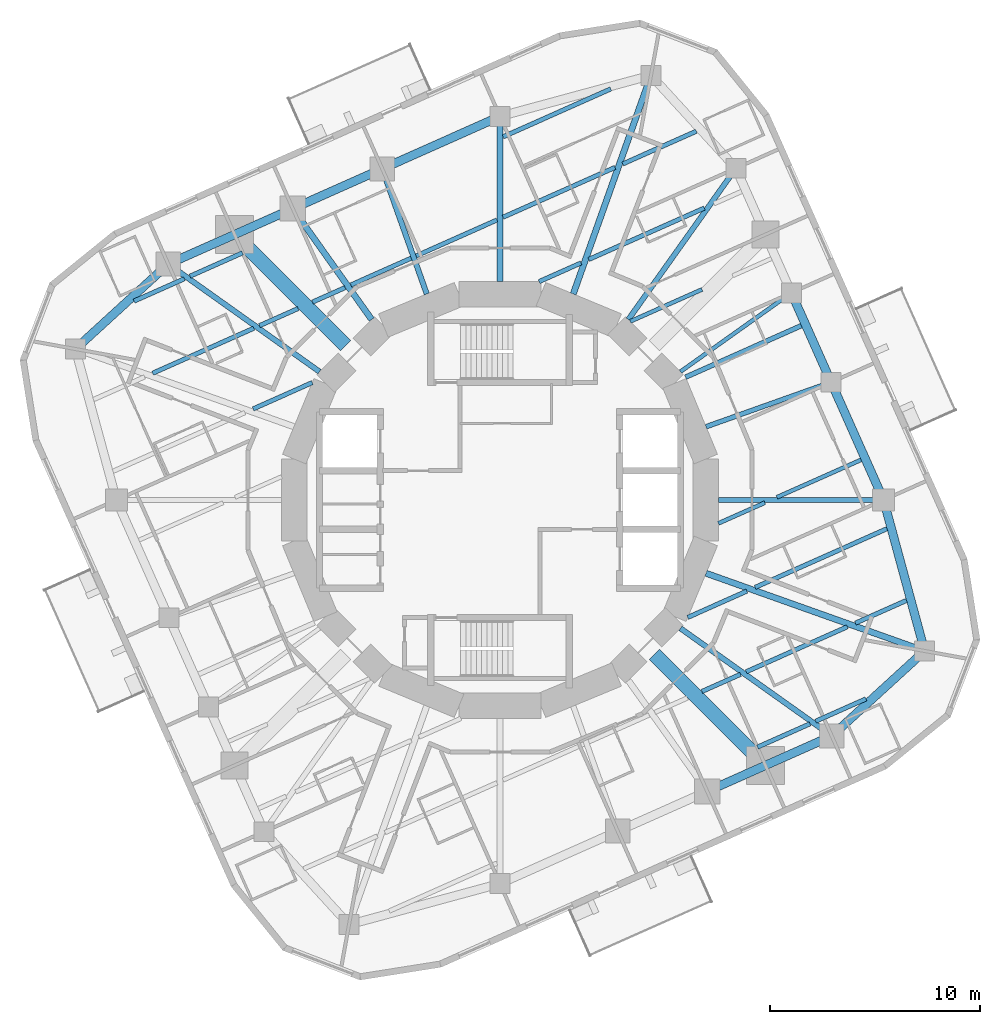
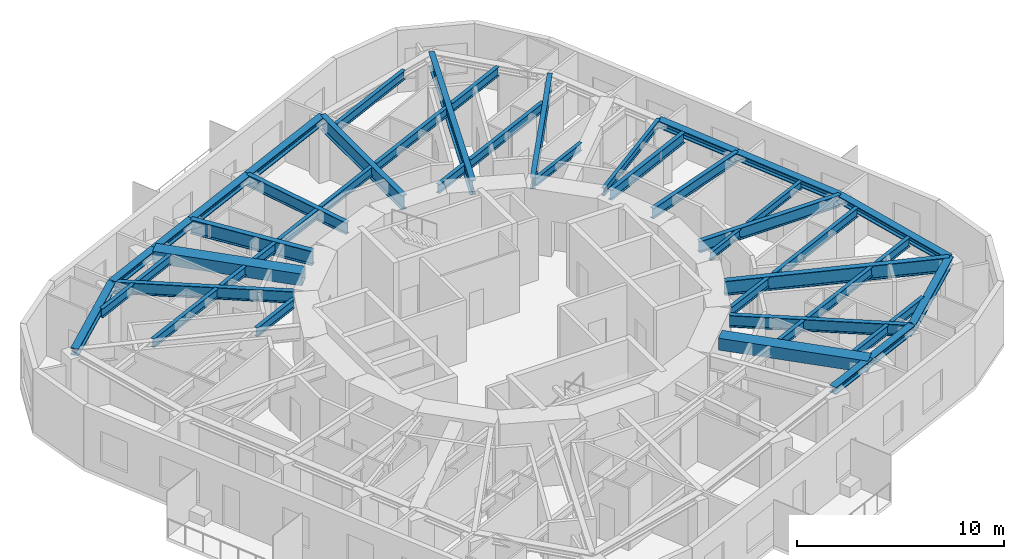
# One storey, part 2 of 12: 35 beams, 13 members.
"""IFC4 building model written with IfcOpenShell, lengths in metres."""

import ifcopenshell
import ifcopenshell.guid

model = None  # the IFC model being written
_history = None  # IfcOwnerHistory: only IFC2X3 demands one
_inside = {}  # id of a spatial element -> (the spatial element, [elements in it])
_under = {}  # id of a project, library or spatial element -> (it, [spatial elements below it])
_declared = {}  # id of a project -> (the project, [libraries it declares])
_typed = {}  # id of a type object -> (the type object, [elements of that type])
_made_of = {}  # id of a material, layer set ... -> (it, [elements and type objects made of it])


def new_model(schema):
    """Start an empty IFC model of exactly this schema.

    Asked for "IFC4X3", IfcOpenShell would pick the latest addendum, in which some entities
    have other attributes; the version numbers below select the first issue.
    IFC2X3 requires an IfcOwnerHistory on every rooted entity: one is made here for all.
    """
    global model, _history
    if schema == "IFC4X3":
        model = ifcopenshell.file(schema_version=(4, 3, 0, 0))
    else:
        model = ifcopenshell.file(schema=schema)
    _inside.clear()
    _under.clear()
    _declared.clear()
    _typed.clear()
    _made_of.clear()
    _history = None
    if model.schema == "IFC2X3":
        org = make("IfcOrganization", Name="unknown")
        user = make(
            "IfcPersonAndOrganization",
            ThePerson=make("IfcPerson", FamilyName="unknown"),
            TheOrganization=org,
        )
        app = make(
            "IfcApplication",
            ApplicationDeveloper=org,
            Version="unknown",
            ApplicationFullName="unknown",
            ApplicationIdentifier="unknown",
        )
        _history = make(
            "IfcOwnerHistory",
            OwningUser=user,
            OwningApplication=app,
            ChangeAction="ADDED",
            CreationDate=0,
        )
    return model


def make(cls, **values):
    """One entity of the class cls with the attributes given. An attribute that is None is left unset."""
    return model.create_entity(
        cls, **{name: value for name, value in values.items() if value is not None}
    )


def rooted(cls, **values):
    """An entity with a GlobalId (a new one), such as an element, a storey or a relation."""
    return make(cls, GlobalId=ifcopenshell.guid.new(), OwnerHistory=_history, **values)


def si_unit(unit_type, name, prefix=None):
    """IfcSIUnit, for example si_unit("LENGTHUNIT", "METRE", prefix="MILLI")."""
    return make("IfcSIUnit", UnitType=unit_type, Prefix=prefix, Name=name)


def assignment(units):
    """IfcUnitAssignment: the units of a project."""
    return None if units is None else make("IfcUnitAssignment", Units=units)


def point(xyz):
    """IfcCartesianPoint."""
    return None if xyz is None else make("IfcCartesianPoint", Coordinates=xyz)


def direction(xyz):
    """IfcDirection."""
    return None if xyz is None else make("IfcDirection", DirectionRatios=xyz)


def frame(location, z_axis=None, x_axis=None):
    """IfcAxis2Placement3D, a coordinate frame: its origin and axes. An axis left out is left unset."""
    return make(
        "IfcAxis2Placement3D",
        Location=point(location),
        Axis=direction(z_axis),
        RefDirection=direction(x_axis),
    )


def frame_2d(location, x_axis=None):
    """IfcAxis2Placement2D, a coordinate frame in the plane: its origin and x axis."""
    return make(
        "IfcAxis2Placement2D", Location=point(location), RefDirection=direction(x_axis)
    )


def origin():
    """The frame at (0, 0, 0) with its axes left unset."""
    return frame((0.0, 0.0, 0.0))


def origin_2d():
    """The frame at (0, 0) in the plane with its x axis left unset."""
    return frame_2d((0.0, 0.0))


def place(relative_to, where):
    """IfcLocalPlacement: puts the frame where relative to a parent placement (None: the world)."""
    return make(
        "IfcLocalPlacement", PlacementRelTo=relative_to, RelativePlacement=where
    )


def context(
    kind, dimensions, precision=None, world=None, true_north=None, identifier=None
):
    """IfcGeometricRepresentationContext, for example the 3D "Model" context."""
    return make(
        "IfcGeometricRepresentationContext",
        ContextIdentifier=identifier,
        ContextType=kind,
        CoordinateSpaceDimension=dimensions,
        Precision=precision,
        WorldCoordinateSystem=world,
        TrueNorth=true_north,
    )


def subcontext(parent, identifier, kind, view, scale=None):
    """IfcGeometricRepresentationSubContext, for example "Body" below "Model"."""
    return make(
        "IfcGeometricRepresentationSubContext",
        ContextIdentifier=identifier,
        ContextType=kind,
        ParentContext=parent,
        TargetScale=scale,
        TargetView=view,
    )


def project(units=None, contexts=None):
    """IfcProject with its units and contexts."""
    return rooted(
        "IfcProject",
        Name="project",
        RepresentationContexts=contexts,
        UnitsInContext=assignment(units),
    )


def spatial(cls, under=None, at=None, **own):
    """A site, building, storey or space (cls), placed at a placement, below another one or the project."""
    s = rooted(cls, ObjectPlacement=at, **own)
    if under is not None:
        _under.setdefault(under.id(), (under, []))[1].append(s)
    return s


def profile(cls, at=None, kind="AREA", **sizes):
    """A parametric profile (cls). Its sizes go by their IFC names, for example OverallWidth=200.0."""
    return make(cls, ProfileType=kind, Position=at, **sizes)


def hollow_rectangle(**sizes):
    """IfcRectangleHollowProfileDef."""
    return profile("IfcRectangleHollowProfileDef", **sizes)


def i_section(**sizes):
    """IfcIShapeProfileDef."""
    return profile("IfcIShapeProfileDef", **sizes)


def extrude(swept, where, along, depth):
    """IfcExtrudedAreaSolid: the profile swept, set in the frame where, extruded along a direction by depth."""
    return make(
        "IfcExtrudedAreaSolid",
        SweptArea=swept,
        Position=where,
        ExtrudedDirection=direction(along),
        Depth=depth,
    )


def shape(context_of_items, identifier, shape_type, items):
    """IfcShapeRepresentation: the items that make up one representation, for example the "Body"."""
    return make(
        "IfcShapeRepresentation",
        ContextOfItems=context_of_items,
        RepresentationIdentifier=identifier,
        RepresentationType=shape_type,
        Items=items,
    )


def material(Name=None, Category=None):
    """IfcMaterial."""
    return make("IfcMaterial", Name=Name, Category=Category)


def material_profile(
    of_material, cross_section, Name=None, Category=None, Priority=None
):
    """IfcMaterialProfile: a cross section and its material."""
    return make(
        "IfcMaterialProfile",
        Name=Name,
        Material=of_material,
        Profile=cross_section,
        Priority=Priority,
        Category=Category,
    )


def profile_set(profiles, Name=None, composite=None):
    """IfcMaterialProfileSet."""
    return make(
        "IfcMaterialProfileSet",
        Name=Name,
        MaterialProfiles=profiles,
        CompositeProfile=composite,
    )


def made_of(thing, what):
    """Note that an element or type object is made of a material, layer set ...; save() writes the relation."""
    if what is not None:
        _made_of.setdefault(what.id(), (what, []))[1].append(thing)
    return thing


def type_object(cls, material=None, **own):
    """A type object (cls), such as IfcWallType, which elements share."""
    return made_of(rooted(cls, **own), material)


def element(
    cls,
    number,
    at=None,
    inside=None,
    cuts=None,
    type_object=None,
    material=None,
    context=None,
    identifier="Body",
    shape_type=None,
    held_by="IfcProductDefinitionShape",
    body=None,
    shapes=None,
    **own,
):
    """One element of the class cls, such as IfcWall. Its Tag is "e" and its number.

    at: its placement. inside: the storey or other place that contains it. cuts: it is an
    opening in that element (IfcRelVoidsElement). A single representation is given by context,
    identifier, shape_type and body (its items); several are given by shapes. held_by: the class
    of the entity that holds the representations. save() writes the other relations.
    """
    e = rooted(cls, Tag="e%d" % number, ObjectPlacement=at, **own)
    if body is not None:
        shapes = [shape(context, identifier, shape_type, body)]
    if shapes is not None:
        e.Representation = make(held_by, Representations=shapes)
    if inside is not None:
        _inside.setdefault(inside.id(), (inside, []))[1].append(e)
    if cuts is not None:
        rooted(
            "IfcRelVoidsElement", RelatingBuildingElement=cuts, RelatedOpeningElement=e
        )
    if type_object is not None:
        _typed.setdefault(type_object.id(), (type_object, []))[1].append(e)
    return made_of(e, material)


def aggregate(whole, parts):
    """IfcRelAggregates: a whole, such as a stair, and the parts it consists of."""
    return rooted("IfcRelAggregates", RelatingObject=whole, RelatedObjects=parts)


def save(model, path):
    """Write the relations noted so far, then the file.

    IfcRelAggregates (storeys below a building ...), IfcRelContainedInSpatialStructure (elements
    in a storey), IfcRelDefinesByType, IfcRelAssociatesMaterial and IfcRelDeclares: one each for
    every whole, place, type object, material and project.
    """
    for whole, parts in _under.values():
        aggregate(whole, parts)
    for where, things in _inside.values():
        rooted(
            "IfcRelContainedInSpatialStructure",
            RelatedElements=things,
            RelatingStructure=where,
        )
    for kind, things in _typed.values():
        rooted("IfcRelDefinesByType", RelatedObjects=things, RelatingType=kind)
    for what, things in _made_of.values():
        rooted("IfcRelAssociatesMaterial", RelatedObjects=things, RelatingMaterial=what)
    for by, libraries in _declared.values():
        rooted("IfcRelDeclares", RelatingContext=by, RelatedDefinitions=libraries)
    model.write(path)


model = new_model("IFC4")

# Units and contexts
model_context = context("Model", 3, precision=1e-05, world=origin(), true_north=direction((0.0, 1.0)))
body_context = subcontext(model_context, "Body", "Model", "MODEL_VIEW")
ifc_project = project(units=[si_unit("LENGTHUNIT", "METRE"), si_unit("AREAUNIT", "SQUARE_METRE"), si_unit("VOLUMEUNIT", "CUBIC_METRE"), si_unit("PLANEANGLEUNIT", "RADIAN"), si_unit("MASSUNIT", "GRAM", prefix="KILO")], contexts=[model_context])

# Site, building, storey
site_placement = place(None, origin())
site = spatial("IfcSite", under=ifc_project, at=site_placement, CompositionType="ELEMENT")
building_placement = place(site_placement, origin())
building = spatial("IfcBuilding", under=site, at=building_placement, Name="Nakasero Lantern House", CompositionType="ELEMENT")
storey_placement = place(building_placement, frame((0.0, 0.0, 213.25)))
storey = spatial("IfcBuildingStorey", under=building, at=storey_placement, Name="L52", CompositionType="ELEMENT", Elevation=213.25)

# Members
ifc_material_1 = material(Name="Steel S355", Category="steel")
ifc_material_profile_1 = material_profile(ifc_material_1, i_section(OverallWidth=0.406982421875, OverallDepth=0.4189453125, WebThickness=0.030517578125, FlangeThickness=0.04931640625, FilletRadius=0.01513671875, at=origin_2d()), Name="UC 356x406x393")
ifc_profile_set_1 = profile_set([ifc_material_profile_1], Name="Steel S355")
member_type_1 = type_object("IfcMemberType", Name="Belt truss chord UC 356x406x393", PredefinedType="CHORD", material=ifc_profile_set_1)
member_1_placement = place(storey_placement, frame((15.808837890625, -11.241943359375, 3.4404296875), z_axis=(0.73802707447, 0.674771099966, 0.0), x_axis=(-0.674771099966, 0.73802707447, 0.0)))
element("IfcMember", 1, at=member_1_placement, inside=storey, type_object=member_type_1, Name="Belt truss bottom chord T5 B5-C01", PredefinedType="CHORD", context=body_context, shape_type="SweptSolid", body=[
    extrude(i_section(OverallWidth=0.406982421875, OverallDepth=0.4189453125, WebThickness=0.030517578125, FlangeThickness=0.04931640625, FilletRadius=0.01513671875, at=origin_2d()), origin(), (0.0, 0.0, 1.0), 5.997802734375),
])
member_2_placement = place(storey_placement, frame((20.2353515625, -7.19482421875, 3.4404296875), z_axis=(-0.26219461312, 0.965015017941, 0.0), x_axis=(-0.965015017941, -0.26219461312, 0.0)))
element("IfcMember", 2, at=member_2_placement, inside=storey, type_object=member_type_1, Name="Belt truss bottom chord T5 B5-C02", PredefinedType="CHORD", context=body_context, shape_type="SweptSolid", body=[
    extrude(i_section(OverallWidth=0.406982421875, OverallDepth=0.4189453125, WebThickness=0.030517578125, FlangeThickness=0.04931640625, FilletRadius=0.01513671875, at=origin_2d()), origin(), (0.0, 0.0, 1.0), 7.45556640625),
])
member_3_placement = place(storey_placement, frame((18.280517578125, 0.0, 3.4404296875), z_axis=(-0.406765299215, 0.913532698569, 0.0), x_axis=(-0.913532698569, -0.406765299215, 0.0)))
element("IfcMember", 3, at=member_3_placement, inside=storey, type_object=member_type_1, Name="Belt truss bottom chord T5 B5-C03", PredefinedType="CHORD", context=body_context, shape_type="SweptSolid", body=[
    extrude(i_section(OverallWidth=0.406982421875, OverallDepth=0.4189453125, WebThickness=0.030517578125, FlangeThickness=0.04931640625, FilletRadius=0.01513671875, at=origin_2d()), origin(), (0.0, 0.0, 1.0), 6.142333984375),
])
member_4_placement = place(storey_placement, frame((15.781982421875, 5.611328125, 3.4404296875), z_axis=(-0.406701600856, 0.913561058639, 0.0), x_axis=(-0.913561058639, -0.406701600856, 0.0)))
element("IfcMember", 4, at=member_4_placement, inside=storey, type_object=member_type_1, Name="Belt truss bottom chord T5 B5-C04", PredefinedType="CHORD", context=body_context, shape_type="SweptSolid", body=[
    extrude(i_section(OverallWidth=0.406982421875, OverallDepth=0.4189453125, WebThickness=0.030517578125, FlangeThickness=0.04931640625, FilletRadius=0.01513671875, at=origin_2d()), origin(), (0.0, 0.0, 1.0), 4.66552734375),
])
member_5_placement = place(storey_placement, frame((0.0, 18.280517578125, 3.4404296875), z_axis=(-0.913532698569, -0.406765299215, 0.0), x_axis=(0.406765299215, -0.913532698569, 0.0)))
element("IfcMember", 5, at=member_5_placement, inside=storey, type_object=member_type_1, Name="Belt truss bottom chord T5 B5-C09", PredefinedType="CHORD", context=body_context, shape_type="SweptSolid", body=[
    extrude(i_section(OverallWidth=0.406982421875, OverallDepth=0.4189453125, WebThickness=0.030517578125, FlangeThickness=0.04931640625, FilletRadius=0.01513671875, at=origin_2d()), origin(), (0.0, 0.0, 1.0), 6.142333984375),
])
member_6_placement = place(storey_placement, frame((-5.611328125, 15.781982421875, 3.4404296875), z_axis=(-0.913561058639, -0.406701600856, 0.0), x_axis=(0.406701600856, -0.913561058639, 0.0)))
element("IfcMember", 6, at=member_6_placement, inside=storey, type_object=member_type_1, Name="Belt truss bottom chord T5 B5-C10", PredefinedType="CHORD", context=body_context, shape_type="SweptSolid", body=[
    extrude(i_section(OverallWidth=0.406982421875, OverallDepth=0.4189453125, WebThickness=0.030517578125, FlangeThickness=0.04931640625, FilletRadius=0.01513671875, at=origin_2d()), origin(), (0.0, 0.0, 1.0), 4.66552734375),
])
member_7_placement = place(storey_placement, frame((-9.87353515625, 13.884521484375, 3.4404296875), z_axis=(-0.913556197925, -0.40671251915, 0.0), x_axis=(0.40671251915, -0.913556197925, 0.0)))
element("IfcMember", 7, at=member_7_placement, inside=storey, type_object=member_type_1, Name="Belt truss bottom chord T5 B5-C11", PredefinedType="CHORD", context=body_context, shape_type="SweptSolid", body=[
    extrude(i_section(OverallWidth=0.406982421875, OverallDepth=0.4189453125, WebThickness=0.030517578125, FlangeThickness=0.04931640625, FilletRadius=0.01513671875, at=origin_2d()), origin(), (0.0, 0.0, 1.0), 3.0380859375),
])
member_8_placement = place(storey_placement, frame((-12.64892578125, 12.64892578125, 3.4404296875), z_axis=(-0.913534832457, -0.406760506795, 0.0), x_axis=(0.406760506795, -0.913534832457, 0.0)))
element("IfcMember", 8, at=member_8_placement, inside=storey, type_object=member_type_1, Name="Belt truss bottom chord T5 B5-C12", PredefinedType="CHORD", context=body_context, shape_type="SweptSolid", body=[
    extrude(i_section(OverallWidth=0.406982421875, OverallDepth=0.4189453125, WebThickness=0.030517578125, FlangeThickness=0.04931640625, FilletRadius=0.01513671875, at=origin_2d()), origin(), (0.0, 0.0, 1.0), 3.458984375),
])
member_9_placement = place(storey_placement, frame((-15.808837890625, 11.241943359375, 3.4404296875), z_axis=(-0.73802707447, -0.674771099966, 0.0), x_axis=(0.674771099966, -0.73802707447, 0.0)))
element("IfcMember", 9, at=member_9_placement, inside=storey, type_object=member_type_1, Name="Belt truss bottom chord T5 B5-C13", PredefinedType="CHORD", context=body_context, shape_type="SweptSolid", body=[
    extrude(i_section(OverallWidth=0.406982421875, OverallDepth=0.4189453125, WebThickness=0.030517578125, FlangeThickness=0.04931640625, FilletRadius=0.01513671875, at=origin_2d()), origin(), (0.0, 0.0, 1.0), 5.997802734375),
])
member_10_placement = place(storey_placement, frame((9.87353515625, -13.884521484375, 3.4404296875), z_axis=(0.913556197925, 0.40671251915, 0.0), x_axis=(-0.40671251915, 0.913556197925, 0.0)))
element("IfcMember", 10, at=member_10_placement, inside=storey, type_object=member_type_1, Name="Belt truss bottom chord T5 B5-C23", PredefinedType="CHORD", context=body_context, shape_type="SweptSolid", body=[
    extrude(i_section(OverallWidth=0.406982421875, OverallDepth=0.4189453125, WebThickness=0.030517578125, FlangeThickness=0.04931640625, FilletRadius=0.01513671875, at=origin_2d()), origin(), (0.0, 0.0, 1.0), 3.0380859375),
])
member_11_placement = place(storey_placement, frame((12.64892578125, -12.64892578125, 3.4404296875), z_axis=(0.913534832457, 0.406760506795, 0.0), x_axis=(-0.406760506795, 0.913534832457, 0.0)))
element("IfcMember", 11, at=member_11_placement, inside=storey, type_object=member_type_1, Name="Belt truss bottom chord T5 B5-C24", PredefinedType="CHORD", context=body_context, shape_type="SweptSolid", body=[
    extrude(i_section(OverallWidth=0.406982421875, OverallDepth=0.4189453125, WebThickness=0.030517578125, FlangeThickness=0.04931640625, FilletRadius=0.01513671875, at=origin_2d()), origin(), (0.0, 0.0, 1.0), 3.458984375),
])

# Beams
ifc_material_2 = material(Name="Steel S355", Category="steel")
ifc_material_profile_2 = material_profile(ifc_material_2, i_section(OverallWidth=0.19140625, OverallDepth=0.4599609375, WebThickness=0.010009765625, FlangeThickness=0.01611328125, FilletRadius=0.01025390625, at=origin_2d()), Name="UB 457x191x82")
ifc_profile_set_2 = profile_set([ifc_material_profile_2], Name="Steel S355")
beam_type_1 = type_object("IfcBeamType", Name="Infill beam UB 457x191x82", PredefinedType="JOIST", material=ifc_profile_set_2)
beam_1_placement = place(storey_placement, frame((10.407958984375, -1.113037109375, 3.419921875), z_axis=(0.913549746855, 0.40672700921, 0.0), x_axis=(-0.40672700921, 0.913549746855, 0.0)))
element("IfcBeam", 12, at=beam_1_placement, inside=storey, type_object=beam_type_1, Name="Infill beam L53 06.3", PredefinedType="JOIST", context=body_context, shape_type="SweptSolid", body=[
    extrude(i_section(OverallWidth=0.19140625, OverallDepth=0.4599609375, WebThickness=0.010009765625, FlangeThickness=0.01611328125, FilletRadius=0.01025390625, at=origin_2d()), origin(), (0.0, 0.0, 1.0), 2.42431640625),
])
beam_2_placement = place(storey_placement, frame((13.192626953125, 0.126953125, 3.419921875), z_axis=(0.913550081481, 0.406726257606, 0.0), x_axis=(-0.406726257606, 0.913550081481, 0.0)))
element("IfcBeam", 13, at=beam_2_placement, inside=storey, type_object=beam_type_1, Name="Infill beam L53 06.4", PredefinedType="JOIST", context=body_context, shape_type="SweptSolid", body=[
    extrude(i_section(OverallWidth=0.19140625, OverallDepth=0.4599609375, WebThickness=0.010009765625, FlangeThickness=0.01611328125, FilletRadius=0.01025390625, at=origin_2d()), origin(), (0.0, 0.0, 1.0), 4.392578125),
])
beam_3_placement = place(storey_placement, frame((6.2080078125, 8.5107421875, 3.419921875), z_axis=(0.913550513402, 0.406725287464, 0.0), x_axis=(-0.406725287464, 0.913550513402, 0.0)))
element("IfcBeam", 14, at=beam_3_placement, inside=storey, type_object=beam_type_1, Name="Infill beam L53 09.3", PredefinedType="JOIST", context=body_context, shape_type="SweptSolid", body=[
    extrude(i_section(OverallWidth=0.19140625, OverallDepth=0.4599609375, WebThickness=0.010009765625, FlangeThickness=0.01611328125, FilletRadius=0.01025390625, at=origin_2d()), origin(), (0.0, 0.0, 1.0), 3.743896484375),
])
ifc_material_3 = material(Name="Steel S355", Category="steel")
ifc_material_profile_3 = material_profile(ifc_material_3, i_section(OverallWidth=0.2099609375, OverallDepth=0.53662109375, WebThickness=0.0107421875, FlangeThickness=0.017333984375, FilletRadius=0.0126953125, at=origin_2d()), Name="UB 533x210x101")
ifc_profile_set_3 = profile_set([ifc_material_profile_3], Name="Steel S355")
beam_type_2 = type_object("IfcBeamType", Name="Infill beam UB 533x210x101", PredefinedType="JOIST", material=ifc_profile_set_3)
beam_4_placement = place(storey_placement, frame((12.271728515625, -11.77685546875, 3.381591796875), z_axis=(0.913550385737, 0.406725574214, 0.0), x_axis=(-0.406725574214, 0.913550385737, 0.0)))
element("IfcBeam", 15, at=beam_4_placement, inside=storey, type_object=beam_type_2, Name="Infill beam L53 03.2", PredefinedType="JOIST", context=body_context, shape_type="SweptSolid", body=[
    extrude(i_section(OverallWidth=0.2099609375, OverallDepth=0.53662109375, WebThickness=0.0107421875, FlangeThickness=0.017333984375, FilletRadius=0.0126953125, at=origin_2d()), origin(), (0.0, 0.0, 1.0), 2.739013671875),
])
beam_5_placement = place(storey_placement, frame((15.045166015625, -10.5419921875, 3.381591796875), z_axis=(0.913550014062, 0.406726409036, 0.0), x_axis=(-0.406726409036, 0.913550014062, 0.0)))
element("IfcBeam", 16, at=beam_5_placement, inside=storey, type_object=beam_type_2, Name="Infill beam L53 03.3", PredefinedType="JOIST", context=body_context, shape_type="SweptSolid", body=[
    extrude(i_section(OverallWidth=0.2099609375, OverallDepth=0.53662109375, WebThickness=0.0107421875, FlangeThickness=0.017333984375, FilletRadius=0.0126953125, at=origin_2d()), origin(), (0.0, 0.0, 1.0), 2.61962890625),
])
beam_6_placement = place(storey_placement, frame((9.620849609375, -9.125732421875, 3.381591796875), z_axis=(0.913556419806, 0.40671202076, 0.0), x_axis=(-0.40671202076, 0.913556419806, 0.0)))
element("IfcBeam", 17, at=beam_6_placement, inside=storey, type_object=beam_type_2, Name="Infill beam L53 04.6", PredefinedType="JOIST", context=body_context, shape_type="SweptSolid", body=[
    extrude(i_section(OverallWidth=0.2099609375, OverallDepth=0.53662109375, WebThickness=0.0107421875, FlangeThickness=0.017333984375, FilletRadius=0.0126953125, at=origin_2d()), origin(), (0.0, 0.0, 1.0), 2.013916015625),
])
beam_7_placement = place(storey_placement, frame((11.73193359375, -8.185791015625, 3.381591796875), z_axis=(0.913549919334, 0.406726621804, 0.0), x_axis=(-0.406726621804, 0.913549919334, 0.0)))
element("IfcBeam", 18, at=beam_7_placement, inside=storey, type_object=beam_type_2, Name="Infill beam L53 04.7", PredefinedType="JOIST", context=body_context, shape_type="SweptSolid", body=[
    extrude(i_section(OverallWidth=0.2099609375, OverallDepth=0.53662109375, WebThickness=0.0107421875, FlangeThickness=0.017333984375, FilletRadius=0.0126953125, at=origin_2d()), origin(), (0.0, 0.0, 1.0), 5.275634765625),
])
beam_8_placement = place(storey_placement, frame((16.93896484375, -5.86767578125, 3.381591796875), z_axis=(0.913550299254, 0.406725768464, 0.0), x_axis=(-0.406725768464, 0.913550299254, 0.0)))
element("IfcBeam", 19, at=beam_8_placement, inside=storey, type_object=beam_type_2, Name="Infill beam L53 04.8", PredefinedType="JOIST", context=body_context, shape_type="SweptSolid", body=[
    extrude(i_section(OverallWidth=0.2099609375, OverallDepth=0.53662109375, WebThickness=0.0107421875, FlangeThickness=0.017333984375, FilletRadius=0.0126953125, at=origin_2d()), origin(), (0.0, 0.0, 1.0), 2.660888671875),
])
beam_9_placement = place(storey_placement, frame((8.9482421875, -5.593994140625, 3.381591796875), z_axis=(0.913563402665, 0.406696335502, 0.0), x_axis=(-0.406696335502, 0.913563402665, 0.0)))
element("IfcBeam", 20, at=beam_9_placement, inside=storey, type_object=beam_type_2, Name="Infill beam L53 05.4", PredefinedType="JOIST", context=body_context, shape_type="SweptSolid", body=[
    extrude(i_section(OverallWidth=0.2099609375, OverallDepth=0.53662109375, WebThickness=0.0107421875, FlangeThickness=0.017333984375, FilletRadius=0.0126953125, at=origin_2d()), origin(), (0.0, 0.0, 1.0), 3.08544921875),
])
beam_10_placement = place(storey_placement, frame((12.154541015625, -4.16650390625, 3.381591796875), z_axis=(0.91354069408, 0.406747342044, 0.0), x_axis=(-0.406747342044, 0.91354069408, 0.0)))
element("IfcBeam", 21, at=beam_10_placement, inside=storey, type_object=beam_type_2, Name="Infill beam L53 05.5", PredefinedType="JOIST", context=body_context, shape_type="SweptSolid", body=[
    extrude(i_section(OverallWidth=0.2099609375, OverallDepth=0.53662109375, WebThickness=0.0107421875, FlangeThickness=0.017333984375, FilletRadius=0.0126953125, at=origin_2d()), origin(), (0.0, 0.0, 1.0), 6.881591796875),
])
beam_11_placement = place(storey_placement, frame((-11.76708984375, 4.339111328125, 3.381591796875), z_axis=(0.913563402665, 0.406696335502, 0.0), x_axis=(-0.406696335502, 0.913563402665, 0.0)))
element("IfcBeam", 22, at=beam_11_placement, inside=storey, type_object=beam_type_2, Name="Infill beam L53 10.2", PredefinedType="JOIST", context=body_context, shape_type="SweptSolid", body=[
    extrude(i_section(OverallWidth=0.2099609375, OverallDepth=0.53662109375, WebThickness=0.0107421875, FlangeThickness=0.017333984375, FilletRadius=0.0126953125, at=origin_2d()), origin(), (0.0, 0.0, 1.0), 3.08544921875),
])
beam_12_placement = place(storey_placement, frame((1.86376953125, 10.407958984375, 3.381591796875), z_axis=(0.913558164673, 0.406708101418, 0.0), x_axis=(-0.406708101418, 0.913558164673, 0.0)))
element("IfcBeam", 23, at=beam_12_placement, inside=storey, type_object=beam_type_2, Name="Infill beam L53 10.3", PredefinedType="JOIST", context=body_context, shape_type="SweptSolid", body=[
    extrude(i_section(OverallWidth=0.2099609375, OverallDepth=0.53662109375, WebThickness=0.0107421875, FlangeThickness=0.017333984375, FilletRadius=0.0126953125, at=origin_2d()), origin(), (0.0, 0.0, 1.0), 2.186767578125),
])
beam_13_placement = place(storey_placement, frame((4.23046875, 11.461669921875, 3.381591796875), z_axis=(0.913549212853, 0.40672820863, 0.0), x_axis=(-0.40672820863, 0.913549212853, 0.0)))
element("IfcBeam", 24, at=beam_13_placement, inside=storey, type_object=beam_type_2, Name="Infill beam L53 10.4", PredefinedType="JOIST", context=body_context, shape_type="SweptSolid", body=[
    extrude(i_section(OverallWidth=0.2099609375, OverallDepth=0.53662109375, WebThickness=0.0107421875, FlangeThickness=0.017333984375, FilletRadius=0.0126953125, at=origin_2d()), origin(), (0.0, 0.0, 1.0), 6.029541015625),
])
beam_14_placement = place(storey_placement, frame((-16.551513671875, 6.0400390625, 3.381591796875), z_axis=(0.913549919334, 0.406726621804, 0.0), x_axis=(-0.406726621804, 0.913549919334, 0.0)))
element("IfcBeam", 25, at=beam_14_placement, inside=storey, type_object=beam_type_2, Name="Infill beam L53 11.2", PredefinedType="JOIST", context=body_context, shape_type="SweptSolid", body=[
    extrude(i_section(OverallWidth=0.2099609375, OverallDepth=0.53662109375, WebThickness=0.0107421875, FlangeThickness=0.017333984375, FilletRadius=0.0126953125, at=origin_2d()), origin(), (0.0, 0.0, 1.0), 5.275634765625),
])
beam_15_placement = place(storey_placement, frame((-11.460693359375, 8.306640625, 3.381591796875), z_axis=(0.913556419806, 0.40671202076, 0.0), x_axis=(-0.40671202076, 0.913556419806, 0.0)))
element("IfcBeam", 26, at=beam_15_placement, inside=storey, type_object=beam_type_2, Name="Infill beam L53 11.3", PredefinedType="JOIST", context=body_context, shape_type="SweptSolid", body=[
    extrude(i_section(OverallWidth=0.2099609375, OverallDepth=0.53662109375, WebThickness=0.0107421875, FlangeThickness=0.017333984375, FilletRadius=0.0126953125, at=origin_2d()), origin(), (0.0, 0.0, 1.0), 2.013916015625),
])
beam_16_placement = place(storey_placement, frame((-8.935791015625, 9.430908203125, 3.381591796875), z_axis=(0.913581037191, 0.406656720694, 0.0), x_axis=(-0.406656720694, 0.913581037191, 0.0)))
element("IfcBeam", 27, at=beam_16_placement, inside=storey, type_object=beam_type_2, Name="Infill beam L53 11.4", PredefinedType="JOIST", context=body_context, shape_type="SweptSolid", body=[
    extrude(i_section(OverallWidth=0.2099609375, OverallDepth=0.53662109375, WebThickness=0.0107421875, FlangeThickness=0.017333984375, FilletRadius=0.0126953125, at=origin_2d()), origin(), (0.0, 0.0, 1.0), 1.704345703125),
])
beam_17_placement = place(storey_placement, frame((-7.106201171875, 10.245361328125, 3.381591796875), z_axis=(0.913545628997, 0.406736258207, 0.0), x_axis=(-0.406736258207, 0.913545628997, 0.0)))
element("IfcBeam", 28, at=beam_17_placement, inside=storey, type_object=beam_type_2, Name="Infill beam L53 11.5", PredefinedType="JOIST", context=body_context, shape_type="SweptSolid", body=[
    extrude(i_section(OverallWidth=0.2099609375, OverallDepth=0.53662109375, WebThickness=0.0107421875, FlangeThickness=0.017333984375, FilletRadius=0.0126953125, at=origin_2d()), origin(), (0.0, 0.0, 1.0), 3.144775390625),
])
beam_18_placement = place(storey_placement, frame((-3.9990234375, 11.62890625, 3.381591796875), z_axis=(0.913548767635, 0.406729208631, 0.0), x_axis=(-0.406729208631, 0.913548767635, 0.0)))
element("IfcBeam", 29, at=beam_18_placement, inside=storey, type_object=beam_type_2, Name="Infill beam L53 11.6", PredefinedType="JOIST", context=body_context, shape_type="SweptSolid", body=[
    extrude(i_section(OverallWidth=0.2099609375, OverallDepth=0.53662109375, WebThickness=0.0107421875, FlangeThickness=0.017333984375, FilletRadius=0.0126953125, at=origin_2d()), origin(), (0.0, 0.0, 1.0), 4.21728515625),
])
beam_19_placement = place(storey_placement, frame((0.146240234375, 13.474365234375, 3.381591796875), z_axis=(0.913544076166, 0.406739745909, 0.0), x_axis=(-0.406739745909, 0.913544076166, 0.0)))
element("IfcBeam", 30, at=beam_19_placement, inside=storey, type_object=beam_type_2, Name="Infill beam L53 11.7", PredefinedType="JOIST", context=body_context, shape_type="SweptSolid", body=[
    extrude(i_section(OverallWidth=0.2099609375, OverallDepth=0.53662109375, WebThickness=0.0107421875, FlangeThickness=0.017333984375, FilletRadius=0.0126953125, at=origin_2d()), origin(), (0.0, 0.0, 1.0), 5.838623046875),
])
beam_20_placement = place(storey_placement, frame((5.848876953125, 16.013427734375, 3.381591796875), z_axis=(0.913543614975, 0.406740781751, 0.0), x_axis=(-0.406740781751, 0.913543614975, 0.0)))
element("IfcBeam", 31, at=beam_20_placement, inside=storey, type_object=beam_type_2, Name="Infill beam L53 11.8", PredefinedType="JOIST", context=body_context, shape_type="SweptSolid", body=[
    extrude(i_section(OverallWidth=0.2099609375, OverallDepth=0.53662109375, WebThickness=0.0107421875, FlangeThickness=0.017333984375, FilletRadius=0.0126953125, at=origin_2d()), origin(), (0.0, 0.0, 1.0), 3.83544921875),
])
beam_21_placement = place(storey_placement, frame((-17.438232421875, 9.4765625, 3.381591796875), z_axis=(0.913550014062, 0.406726409036, 0.0), x_axis=(-0.406726409036, 0.913550014062, 0.0)))
element("IfcBeam", 32, at=beam_21_placement, inside=storey, type_object=beam_type_2, Name="Infill beam L53 12.1", PredefinedType="JOIST", context=body_context, shape_type="SweptSolid", body=[
    extrude(i_section(OverallWidth=0.2099609375, OverallDepth=0.53662109375, WebThickness=0.0107421875, FlangeThickness=0.017333984375, FilletRadius=0.0126953125, at=origin_2d()), origin(), (0.0, 0.0, 1.0), 2.61962890625),
])
beam_22_placement = place(storey_placement, frame((-14.77392578125, 10.662841796875, 3.381591796875), z_axis=(0.913550385737, 0.406725574214, 0.0), x_axis=(-0.406725574214, 0.913550385737, 0.0)))
element("IfcBeam", 33, at=beam_22_placement, inside=storey, type_object=beam_type_2, Name="Infill beam L53 12.2", PredefinedType="JOIST", context=body_context, shape_type="SweptSolid", body=[
    extrude(i_section(OverallWidth=0.2099609375, OverallDepth=0.53662109375, WebThickness=0.0107421875, FlangeThickness=0.017333984375, FilletRadius=0.0126953125, at=origin_2d()), origin(), (0.0, 0.0, 1.0), 2.739013671875),
])
beam_23_placement = place(storey_placement, frame((0.146240234375, 17.3056640625, 3.381591796875), z_axis=(0.913538957038, 0.406751243358, 0.0), x_axis=(-0.406751243358, 0.913538957038, 0.0)))
element("IfcBeam", 34, at=beam_23_placement, inside=storey, type_object=beam_type_2, Name="Infill beam L53 12.3", PredefinedType="JOIST", context=body_context, shape_type="SweptSolid", body=[
    extrude(i_section(OverallWidth=0.2099609375, OverallDepth=0.53662109375, WebThickness=0.0107421875, FlangeThickness=0.017333984375, FilletRadius=0.0126953125, at=origin_2d()), origin(), (0.0, 0.0, 1.0), 5.6181640625),
])
ifc_material_4 = material(Name="Steel S355", Category="steel")
ifc_material_profile_4 = material_profile(ifc_material_4, i_section(OverallWidth=0.22900390625, OverallDepth=0.6123046875, WebThickness=0.011962890625, FlangeThickness=0.01953125, FilletRadius=0.0126953125, at=origin_2d()), Name="UB 610x229x125")
ifc_profile_set_4 = profile_set([ifc_material_profile_4], Name="Steel S355")
beam_type_3 = type_object("IfcBeamType", Name="Infill beam UB 610x229x125", PredefinedType="JOIST", material=ifc_profile_set_4)
beam_24_placement = place(storey_placement, frame((8.84130859375, 5.85205078125, 3.343994140625), z_axis=(0.913549630953, 0.406727269538, 0.0), x_axis=(-0.406727269538, 0.913549630953, 0.0)))
element("IfcBeam", 35, at=beam_24_placement, inside=storey, type_object=beam_type_3, Name="Infill beam L53 08.1", PredefinedType="JOIST", context=body_context, shape_type="SweptSolid", body=[
    extrude(i_section(OverallWidth=0.22900390625, OverallDepth=0.6123046875, WebThickness=0.011962890625, FlangeThickness=0.01953125, FilletRadius=0.0126953125, at=origin_2d()), origin(), (0.0, 0.0, 1.0), 6.0390625),
])

# Members
ifc_material_5 = material(Name="Steel S355", Category="steel")
ifc_material_profile_5 = material_profile(ifc_material_5, hollow_rectangle(XDim=0.699951171875, YDim=0.699951171875, WallThickness=0.050048828125, at=origin_2d()), Name="BOX 700x700x50")
ifc_profile_set_5 = profile_set([ifc_material_profile_5], Name="Steel S355")
member_type_2 = type_object("IfcMemberType", Name="Outrigger chord BOX 700x700x50", PredefinedType="CHORD", material=ifc_profile_set_5)
for number, where, z_axis, x_axis, name in (
    (36, (-12.64892578125, 12.64892578125, 3.300048828125), (0.707106781187, -0.707106781187, 0.0), (0.707106781187, 0.707106781187, 0.0), "Outrigger chord L53 B5-C12"),
    (37, (12.64892578125, -12.64892578125, 3.300048828125), (-0.707106781187, 0.707106781187, 0.0), (-0.707106781187, -0.707106781187, 0.0), "Outrigger chord L53 B5-C24"),
):
    element("IfcMember", number, at=place(storey_placement, frame(where, z_axis=z_axis, x_axis=x_axis)), inside=storey, type_object=member_type_2, Name=name, PredefinedType="CHORD", context=body_context, shape_type="SweptSolid", body=[
        extrude(hollow_rectangle(XDim=0.699951171875, YDim=0.699951171875, WallThickness=0.050048828125, at=origin_2d()), origin(), (0.0, 0.0, 1.0), 7.48046875),
    ])

# Beams
ifc_material_6 = material(Name="Steel S355", Category="steel")
ifc_material_profile_6 = material_profile(ifc_material_6, i_section(OverallWidth=0.18994140625, OverallDepth=0.453369140625, WebThickness=0.008544921875, FlangeThickness=0.0126953125, FilletRadius=0.01025390625, at=origin_2d()), Name="UB 457x191x67")
ifc_profile_set_6 = profile_set([ifc_material_profile_6], Name="Steel S355")
beam_type_4 = type_object("IfcBeamType", Name="Primary beam UB 457x191x67, span 6 to 9 m", PredefinedType="BEAM", material=ifc_profile_set_6)
beam_25_placement = place(storey_placement, frame((13.884521484375, 9.87353515625, 3.42333984375), z_axis=(-0.8149430702, -0.57954101868, 0.0), x_axis=(0.57954101868, -0.8149430702, 0.0)))
element("IfcBeam", 38, at=beam_25_placement, inside=storey, type_object=beam_type_4, Name="Primary beam L53 B5-C05", PredefinedType="BEAM", context=body_context, shape_type="SweptSolid", body=[
    extrude(i_section(OverallWidth=0.18994140625, OverallDepth=0.453369140625, WebThickness=0.008544921875, FlangeThickness=0.0126953125, FilletRadius=0.01025390625, at=origin_2d()), origin(), (0.0, 0.0, 1.0), 6.48193359375),
])
ifc_material_7 = material(Name="Steel S355", Category="steel")
ifc_material_profile_7 = material_profile(ifc_material_7, i_section(OverallWidth=0.22900390625, OverallDepth=0.6123046875, WebThickness=0.011962890625, FlangeThickness=0.01953125, FilletRadius=0.0126953125, at=origin_2d()), Name="UB 610x229x125")
ifc_profile_set_7 = profile_set([ifc_material_profile_7], Name="Steel S355")
beam_type_5 = type_object("IfcBeamType", Name="Primary beam UB 610x229x125, span 6 to 9 m", PredefinedType="BEAM", material=ifc_profile_set_7)
beam_26_placement = place(storey_placement, frame((15.781982421875, 5.611328125, 3.343994140625), z_axis=(-0.942211442913, -0.335018800731, 0.0), x_axis=(0.335018800731, -0.942211442913, 0.0)))
element("IfcBeam", 39, at=beam_26_placement, inside=storey, type_object=beam_type_5, Name="Primary beam L53 B5-C04", PredefinedType="BEAM", context=body_context, shape_type="SweptSolid", body=[
    extrude(i_section(OverallWidth=0.22900390625, OverallDepth=0.6123046875, WebThickness=0.011962890625, FlangeThickness=0.01953125, FilletRadius=0.0126953125, at=origin_2d()), origin(), (0.0, 0.0, 1.0), 6.328369140625),
])
ifc_material_8 = material(Name="Steel S355", Category="steel")
ifc_material_profile_8 = material_profile(ifc_material_8, i_section(OverallWidth=0.253662109375, OverallDepth=0.68359375, WebThickness=0.012451171875, FlangeThickness=0.01904296875, FilletRadius=0.01513671875, at=origin_2d()), Name="UB 686x254x140")
ifc_profile_set_8 = profile_set([ifc_material_profile_8], Name="Steel S355")
beam_type_6 = type_object("IfcBeamType", Name="Primary beam UB 686x254x140, span 6 to 9 m", PredefinedType="BEAM", material=ifc_profile_set_8)
beam_27_placement = place(storey_placement, frame((18.280517578125, 0.0, 3.308349609375), z_axis=(-1.0, 0.0, 0.0), x_axis=(0.0, -1.0, 0.0)))
element("IfcBeam", 40, at=beam_27_placement, inside=storey, type_object=beam_type_6, Name="Primary beam L53 B5-C03", PredefinedType="BEAM", context=body_context, shape_type="SweptSolid", body=[
    extrude(i_section(OverallWidth=0.253662109375, OverallDepth=0.68359375, WebThickness=0.012451171875, FlangeThickness=0.01904296875, FilletRadius=0.01513671875, at=origin_2d()), origin(), (0.0, 0.0, 1.0), 7.87255859375),
])
beam_28_placement = place(storey_placement, frame((11.241943359375, 15.808837890625, 3.308349609375), z_axis=(-0.579536824926, -0.814946052543, 0.0), x_axis=(0.814946052543, -0.579536824926, 0.0)))
element("IfcBeam", 41, at=beam_28_placement, inside=storey, type_object=beam_type_6, Name="Primary beam L53 B5-C07", PredefinedType="BEAM", context=body_context, shape_type="SweptSolid", body=[
    extrude(i_section(OverallWidth=0.253662109375, OverallDepth=0.68359375, WebThickness=0.012451171875, FlangeThickness=0.01904296875, FilletRadius=0.01513671875, at=origin_2d()), origin(), (0.0, 0.0, 1.0), 8.84326171875),
])
ifc_material_9 = material(Name="Steel S355", Category="steel")
ifc_material_profile_9 = material_profile(ifc_material_9, i_section(OverallWidth=0.255859375, OverallDepth=0.69287109375, WebThickness=0.014404296875, FlangeThickness=0.023681640625, FilletRadius=0.01513671875, at=origin_2d()), Name="UB 686x254x170")
ifc_profile_set_9 = profile_set([ifc_material_profile_9], Name="Steel S355")
beam_type_7 = type_object("IfcBeamType", Name="Primary beam UB 686x254x170, span 6 to 9 m", PredefinedType="BEAM", material=ifc_profile_set_9)
beam_29_placement = place(storey_placement, frame((15.808837890625, -11.241943359375, 3.303466796875), z_axis=(-0.814946052543, 0.579536824926, 0.0), x_axis=(-0.579536824926, -0.814946052543, 0.0)))
element("IfcBeam", 42, at=beam_29_placement, inside=storey, type_object=beam_type_7, Name="Primary beam L53 B5-C01", PredefinedType="BEAM", context=body_context, shape_type="SweptSolid", body=[
    extrude(i_section(OverallWidth=0.255859375, OverallDepth=0.69287109375, WebThickness=0.014404296875, FlangeThickness=0.023681640625, FilletRadius=0.01513671875, at=origin_2d()), origin(), (0.0, 0.0, 1.0), 8.84326171875),
])
beam_30_placement = place(storey_placement, frame((-5.611328125, 15.781982421875, 3.303466796875), z_axis=(0.335018800731, -0.942211442913, 0.0), x_axis=(0.942211442913, 0.335018800731, 0.0)))
element("IfcBeam", 43, at=beam_30_placement, inside=storey, type_object=beam_type_7, Name="Primary beam L53 B5-C10", PredefinedType="BEAM", context=body_context, shape_type="SweptSolid", body=[
    extrude(i_section(OverallWidth=0.255859375, OverallDepth=0.69287109375, WebThickness=0.014404296875, FlangeThickness=0.023681640625, FilletRadius=0.01513671875, at=origin_2d()), origin(), (0.0, 0.0, 1.0), 6.328369140625),
])
beam_31_placement = place(storey_placement, frame((-15.808837890625, 11.241943359375, 3.303466796875), z_axis=(0.814946052543, -0.579536824926, 0.0), x_axis=(0.579536824926, 0.814946052543, 0.0)))
element("IfcBeam", 44, at=beam_31_placement, inside=storey, type_object=beam_type_7, Name="Primary beam L53 B5-C13", PredefinedType="BEAM", context=body_context, shape_type="SweptSolid", body=[
    extrude(i_section(OverallWidth=0.255859375, OverallDepth=0.69287109375, WebThickness=0.014404296875, FlangeThickness=0.023681640625, FilletRadius=0.01513671875, at=origin_2d()), origin(), (0.0, 0.0, 1.0), 8.84326171875),
])
ifc_material_10 = material(Name="Steel S355", Category="steel")
ifc_material_profile_10 = material_profile(ifc_material_10, i_section(OverallWidth=0.29248046875, OverallDepth=0.8408203125, WebThickness=0.0146484375, FlangeThickness=0.02685546875, FilletRadius=0.017822265625, at=origin_2d()), Name="UB 838x292x194")
ifc_profile_set_10 = profile_set([ifc_material_profile_10], Name="Steel S355")
beam_type_8 = type_object("IfcBeamType", Name="Primary beam UB 838x292x194, span 6 to 9 m", PredefinedType="BEAM", material=ifc_profile_set_10)
beam_32_placement = place(storey_placement, frame((0.0, 18.280517578125, 3.229736328125), z_axis=(0.0, -1.0, 0.0), x_axis=(1.0, 0.0, 0.0)))
element("IfcBeam", 45, at=beam_32_placement, inside=storey, type_object=beam_type_8, Name="Primary beam L53 B5-C09", PredefinedType="BEAM", context=body_context, shape_type="SweptSolid", body=[
    extrude(i_section(OverallWidth=0.29248046875, OverallDepth=0.8408203125, WebThickness=0.0146484375, FlangeThickness=0.02685546875, FilletRadius=0.017822265625, at=origin_2d()), origin(), (0.0, 0.0, 1.0), 7.87255859375),
])
beam_33_placement = place(storey_placement, frame((-9.87353515625, 13.884521484375, 3.229736328125), z_axis=(0.57954101868, -0.8149430702, 0.0), x_axis=(0.8149430702, 0.57954101868, 0.0)))
element("IfcBeam", 46, at=beam_33_placement, inside=storey, type_object=beam_type_8, Name="Primary beam L53 B5-C11", PredefinedType="BEAM", context=body_context, shape_type="SweptSolid", body=[
    extrude(i_section(OverallWidth=0.29248046875, OverallDepth=0.8408203125, WebThickness=0.0146484375, FlangeThickness=0.02685546875, FilletRadius=0.017822265625, at=origin_2d()), origin(), (0.0, 0.0, 1.0), 6.48193359375),
])
ifc_material_11 = material(Name="Steel S355", Category="steel")
ifc_material_profile_11 = material_profile(ifc_material_11, i_section(OverallWidth=0.29248046875, OverallDepth=0.8408203125, WebThickness=0.0146484375, FlangeThickness=0.02685546875, FilletRadius=0.017822265625, at=origin_2d()), Name="UB 838x292x194")
ifc_profile_set_11 = profile_set([ifc_material_profile_11], Name="Steel S355")
beam_type_9 = type_object("IfcBeamType", Name="Primary beam UB 838x292x194, span 9 to 12 m", PredefinedType="BEAM", material=ifc_profile_set_11)
for number, where, z_axis, x_axis, name in (
    (47, (20.2353515625, -7.19482421875, 3.229736328125), (-0.942210662535, 0.335020995468, 0.0), (-0.335020995468, -0.942210662535, 0.0), "Primary beam L53 B5-C02"),
    (48, (7.19482421875, 20.2353515625, 3.229736328125), (-0.335020995468, -0.942210662535, 0.0), (0.942210662535, -0.335020995468, 0.0), "Primary beam L53 B5-C08"),
):
    element("IfcBeam", number, at=place(storey_placement, frame(where, z_axis=z_axis, x_axis=x_axis)), inside=storey, type_object=beam_type_9, Name=name, PredefinedType="BEAM", context=body_context, shape_type="SweptSolid", body=[
        extrude(i_section(OverallWidth=0.29248046875, OverallDepth=0.8408203125, WebThickness=0.0146484375, FlangeThickness=0.02685546875, FilletRadius=0.017822265625, at=origin_2d()), origin(), (0.0, 0.0, 1.0), 11.054931640625),
    ])

save(model, "model.ifc")
